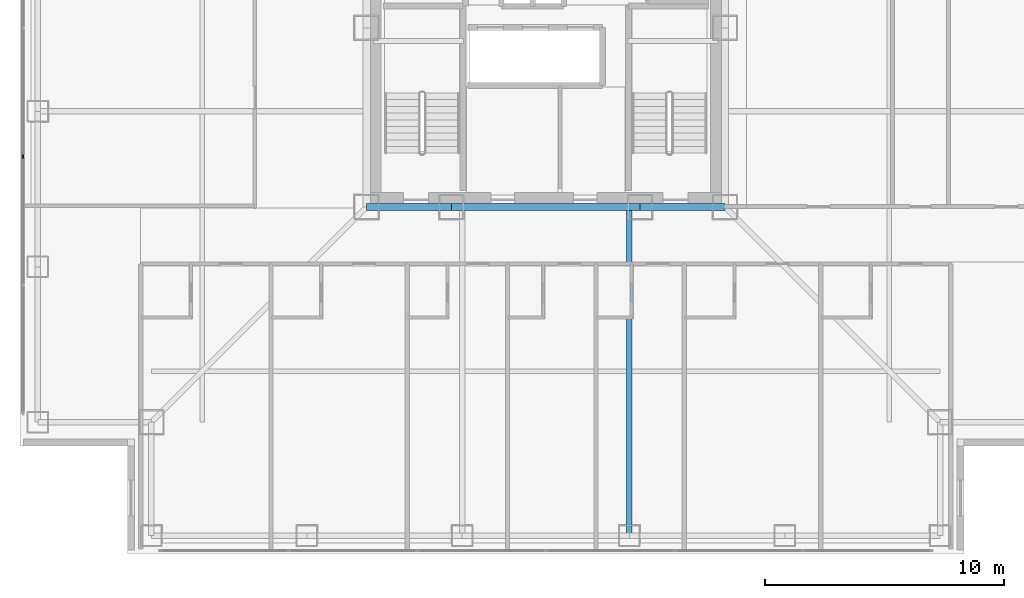
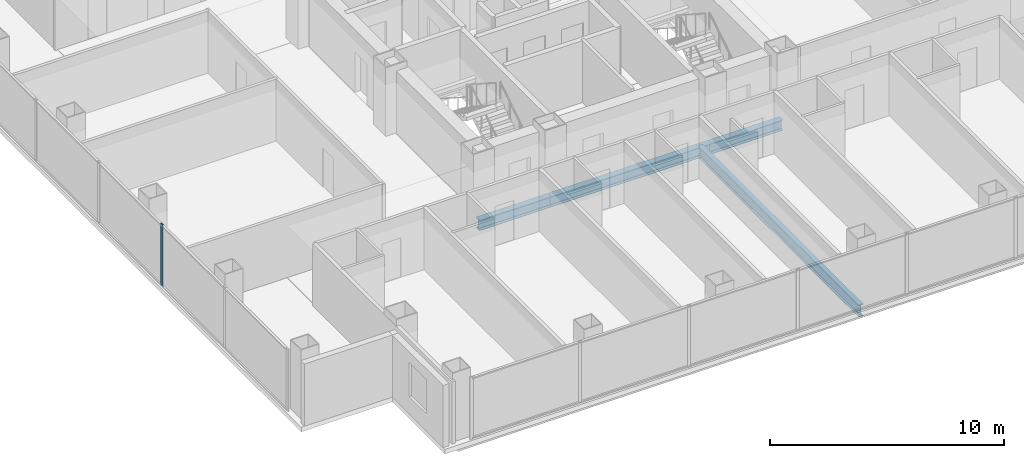
# One storey, part 4 of 18: 4 beams, 1 member, 1 element without a shape of its own.
"""IFC4 building model written with IfcOpenShell, lengths in metres."""

from ifc_helpers import new_model, si_unit, direction, frame, origin, origin_2d, place, context, subcontext, project, spatial, rectangle, i_section, extrude, material, layer, layer_set, material_profile, profile_set, type_object, element, aggregate, save


model = new_model("IFC4")

# Units and contexts
model_context = context("Model", 3, precision=1e-05, world=origin(), true_north=direction((0.0, 1.0)))
body_context = subcontext(model_context, "Body", "Model", "MODEL_VIEW")
ifc_project = project(units=[si_unit("LENGTHUNIT", "METRE"), si_unit("AREAUNIT", "SQUARE_METRE"), si_unit("VOLUMEUNIT", "CUBIC_METRE"), si_unit("PLANEANGLEUNIT", "RADIAN"), si_unit("MASSUNIT", "GRAM", prefix="KILO")], contexts=[model_context])

# Site, building, storey
site_placement = place(None, origin())
site = spatial("IfcSite", under=ifc_project, at=site_placement, CompositionType="ELEMENT")
building_placement = place(site_placement, origin())
building = spatial("IfcBuilding", under=site, at=building_placement, Name="Trevonay Congress Spire", CompositionType="ELEMENT")
storey_placement = place(building_placement, frame((0.0, 0.0, 151.60009765625)))
storey = spatial("IfcBuildingStorey", under=building, at=storey_placement, Name="L39", CompositionType="ELEMENT", Elevation=151.60009765625)

# Beams
ifc_material_1 = material(Name="Steel ASTM A572 Grade 50", Category="steel")
ifc_material_profile_1 = material_profile(ifc_material_1, i_section(OverallWidth=0.31201171875, OverallDepth=0.54296875, WebThickness=0.0126953125, FlangeThickness=0.020263671875, FilletRadius=0.014892578125, at=origin_2d()), Name="W530x150")
ifc_profile_set_1 = profile_set([ifc_material_profile_1], Name="Steel ASTM A572 Grade 50")
beam_type_1 = type_object("IfcBeamType", Name="BM-GIRD-W530X150", PredefinedType="BEAM", material=ifc_profile_set_1)
beam_1_placement = place(storey_placement, frame((-7.5, -7.5, -0.51171875), z_axis=(1.0, 0.0, 0.0), x_axis=(0.0, 1.0, 0.0)))
element("IfcBeam", 1, at=beam_1_placement, inside=storey, type_object=beam_type_1, Name="L39 structural beam BM-L39-CR-S1", PredefinedType="BEAM", context=body_context, shape_type="SweptSolid", body=[
    extrude(i_section(OverallWidth=0.31201171875, OverallDepth=0.54296875, WebThickness=0.0126953125, FlangeThickness=0.020263671875, FilletRadius=0.014892578125, at=origin_2d()), origin(), (0.0, 0.0, 1.0), 3.550048828125),
])
beam_2_placement = place(storey_placement, frame((-3.949951171875, -7.5, -0.51171875), z_axis=(1.0, 0.0, 0.0), x_axis=(0.0, 1.0, 0.0)))
element("IfcBeam", 2, at=beam_2_placement, inside=storey, type_object=beam_type_1, Name="L39 structural beam BM-L39-CR-S2", PredefinedType="BEAM", context=body_context, shape_type="SweptSolid", body=[
    extrude(i_section(OverallWidth=0.31201171875, OverallDepth=0.54296875, WebThickness=0.0126953125, FlangeThickness=0.020263671875, FilletRadius=0.014892578125, at=origin_2d()), origin(), (0.0, 0.0, 1.0), 7.89990234375),
])
beam_3_placement = place(storey_placement, frame((3.949951171875, -7.5, -0.51171875), z_axis=(1.0, 0.0, 0.0), x_axis=(0.0, 1.0, 0.0)))
element("IfcBeam", 3, at=beam_3_placement, inside=storey, type_object=beam_type_1, Name="L39 structural beam BM-L39-CR-S3", PredefinedType="BEAM", context=body_context, shape_type="SweptSolid", body=[
    extrude(i_section(OverallWidth=0.31201171875, OverallDepth=0.54296875, WebThickness=0.0126953125, FlangeThickness=0.020263671875, FilletRadius=0.014892578125, at=origin_2d()), origin(), (0.0, 0.0, 1.0), 3.550048828125),
])
ifc_material_profile_2 = material_profile(ifc_material_1, i_section(OverallWidth=0.22998046875, OverallDepth=0.616943359375, WebThickness=0.01318359375, FlangeThickness=0.022216796875, FilletRadius=0.01611328125, at=origin_2d()), Name="W610x140")
ifc_profile_set_2 = profile_set([ifc_material_profile_2], Name="Steel ASTM A572 Grade 50")
beam_type_2 = type_object("IfcBeamType", Name="BM-GIRD-W610X140", PredefinedType="BEAM", material=ifc_profile_set_2)
beam_4_placement = place(storey_placement, frame((3.5, -7.5, -0.548583984375), z_axis=(0.0, -1.0, 0.0), x_axis=(1.0, 0.0, 0.0)))
element("IfcBeam", 4, at=beam_4_placement, inside=storey, type_object=beam_type_2, Name="L39 structural beam BM-L39-GS-P", PredefinedType="BEAM", context=body_context, shape_type="SweptSolid", body=[
    extrude(i_section(OverallWidth=0.22998046875, OverallDepth=0.616943359375, WebThickness=0.01318359375, FlangeThickness=0.022216796875, FilletRadius=0.01611328125, at=origin_2d()), origin(), (0.0, 0.0, 1.0), 13.75),
])

# Curtain wall, member
ifc_material_2 = material(Name="Pale Anodised Aluminium EN AW-6063-T6", Category="aluminium")
ifc_layer = layer(ifc_material_2, 0.175048828125, Name="Pale Anodised Aluminium EN AW-6063-T6")
ifc_layer_set = layer_set([ifc_layer], Name="Pale Anodised Aluminium EN AW-6063-T6")
curtain_wall_type = type_object("IfcCurtainWallType", Name="CW-SYS03-CONGRESS-PALE-METAL", PredefinedType="NOTDEFINED", material=ifc_layer_set)
curtain_wall_placement = place(storey_placement, origin())
curtain_wall = element("IfcCurtainWall", 5, at=curtain_wall_placement, inside=storey, type_object=curtain_wall_type, Name="L39 W unitised curtain wall", PredefinedType="NOTDEFINED")
ifc_material_profile_3 = material_profile(ifc_material_2, rectangle(XDim=0.06005859375, YDim=0.159912109375, at=origin_2d()), Name="CW-MULLION-160-ALUMINIUM")
ifc_profile_set_3 = profile_set([ifc_material_profile_3], Name="Pale Anodised Aluminium EN AW-6063-T6")
member_type = type_object("IfcMemberType", Name="CW-MULLION-160-ALUMINIUM", PredefinedType="MULLION", material=ifc_profile_set_3)
member_placement = place(storey_placement, frame((-21.8798828125, -5.38330078125, 0.0), z_axis=(0.0, 0.0, 1.0), x_axis=(-1.0, 0.0, 0.0)))
member = element("IfcMember", 6, at=member_placement, type_object=member_type, Name="CW03 mullion 3", PredefinedType="MULLION", context=body_context, shape_type="SweptSolid", body=[
    extrude(rectangle(XDim=0.06005859375, YDim=0.159912109375, at=origin_2d()), origin(), (0.0, 0.0, 1.0), 3.25),
])
aggregate(curtain_wall, [member])

save(model, "model.ifc")
